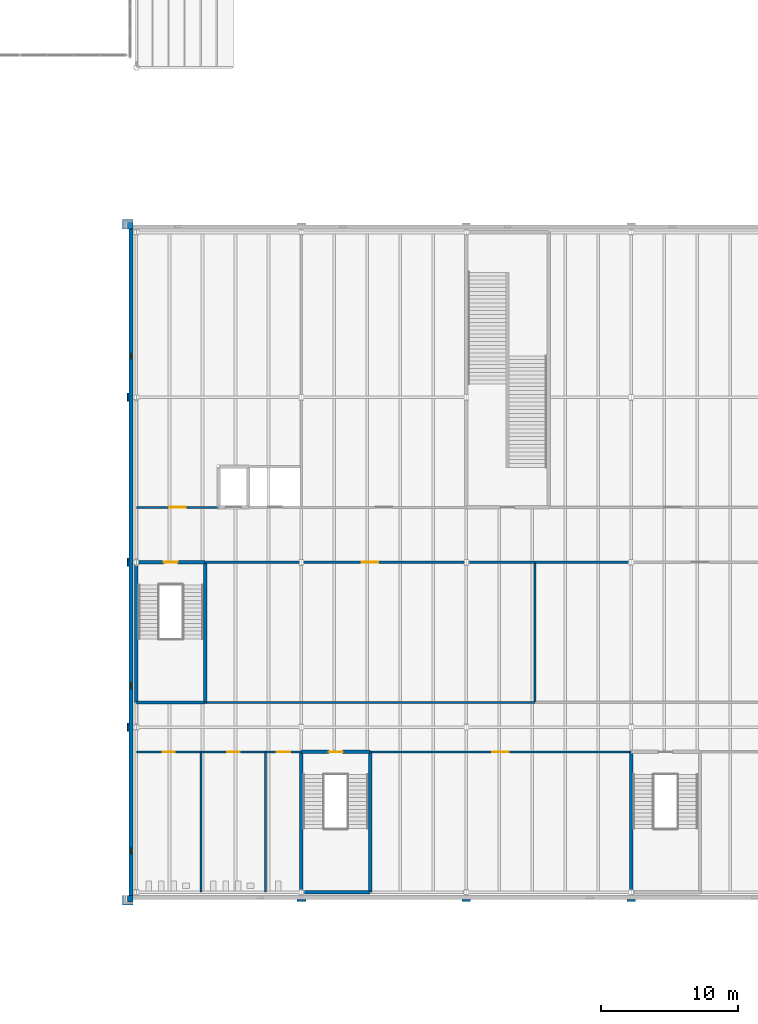
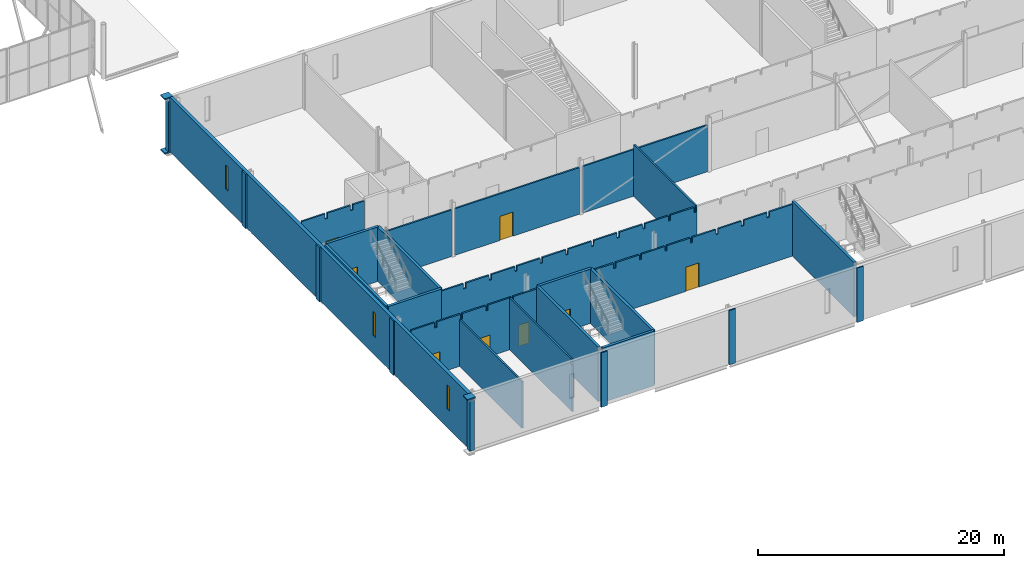
# One storey, part 102 of 170: 34 walls, 8 doors, 3 windows, 11 openings.
"""IFC4 building model written with IfcOpenShell, lengths in metres."""

from ifc_helpers import new_model, si_unit, direction, frame, frame_2d, origin, place, context, subcontext, project, spatial, polyline, rectangle, outline, extrude, material, layer, layer_set, type_object, element, fill, save


model = new_model("IFC4")

# Units and contexts
model_context = context("Model", 3, precision=1e-05, world=origin(), true_north=direction((0.0, 1.0)))
body_context = subcontext(model_context, "Body", "Model", "MODEL_VIEW")
ifc_project = project(units=[si_unit("LENGTHUNIT", "METRE"), si_unit("AREAUNIT", "SQUARE_METRE"), si_unit("VOLUMEUNIT", "CUBIC_METRE"), si_unit("PLANEANGLEUNIT", "RADIAN"), si_unit("MASSUNIT", "GRAM", prefix="KILO")], contexts=[model_context])

# Site, building, storey
site_placement = place(None, origin())
site = spatial("IfcSite", under=ifc_project, at=site_placement, CompositionType="ELEMENT")
building_placement = place(site_placement, origin())
building = spatial("IfcBuilding", under=site, at=building_placement, Name="Ravi Spectrum Wholesale Market", CompositionType="ELEMENT")
storey_placement = place(building_placement, frame((0.0, 0.0, 5.39990234375)))
storey = spatial("IfcBuildingStorey", under=building, at=storey_placement, Name="L01", CompositionType="ELEMENT", Elevation=5.39990234375)

# Wall, opening, door
ifc_material_1 = material(Name="Concrete blockwork", Category="masonry")
ifc_layer_1 = layer(ifc_material_1, 0.14990234375)
ifc_layer_set_1 = layer_set([ifc_layer_1], Name="Concrete blockwork")
wall_type_1 = type_object("IfcWallType", Name="Blockwork partition 150", PredefinedType="PARTITIONING", material=ifc_layer_set_1)
wall_1_placement = place(storey_placement, frame((198.0, 28.199951171875, 0.0), z_axis=(0.0, 0.0, 1.0), x_axis=(1.0, 0.0, 0.0)))
wall_1 = element("IfcWall", 1, at=wall_1_placement, inside=storey, type_object=wall_type_1, Name="CS-WL-L01-083", PredefinedType="PARTITIONING", context=body_context, shape_type="SweptSolid", body=[
    extrude(outline(polyline([(0.0, 0.0), (4.699951171875, 0.0), (4.699951171875, 5.150146484375), (2.5048828125, 5.150146484375), (2.5, 4.630126953125), (2.300048828125, 4.630126953125), (2.294921875, 5.150146484375), (0.10009765625, 5.150146484375), (0.094970703125, 4.68017578125), (0.0, 4.68017578125), (0.0, 0.0)])), frame((0.0, 0.074951171875, 0.0), z_axis=(0.0, -1.0, 0.0), x_axis=(1.0, 0.0, 0.0)), (0.0, 0.0, 1.0), 0.14990234375),
])
opening_1_placement = place(wall_1_placement, frame((1.89990234375, 0.0, 0.0)))
opening_1 = element("IfcOpeningElement", 2, at=opening_1_placement, cuts=wall_1, Name="Opening D504", PredefinedType="OPENING", context=body_context, shape_type="SweptSolid", body=[
    extrude(rectangle(XDim=0.89990234375, YDim=2.10009765625, at=frame_2d((0.449951171875, 1.050048828125))), frame((0.0, 0.0849609375, 0.0), z_axis=(0.0, -1.0, 0.0), x_axis=(1.0, 0.0, 0.0)), (0.0, 0.0, 1.0), 0.169921875),
])
ifc_material_2 = material(Name="Timber door", Category="wood")
door_type_1 = type_object("IfcDoorType", Name="Toilet door 900 x 2100", OperationType="SINGLE_SWING_LEFT", PredefinedType="DOOR", material=ifc_material_2)
door_1_placement = place(opening_1_placement, origin())
door_1 = element("IfcDoor", 3, at=door_1_placement, inside=storey, type_object=door_type_1, Name="Door D504", OperationType="SINGLE_SWING_LEFT", OverallHeight=2.10009765625, OverallWidth=0.89990234375, PredefinedType="DOOR", context=body_context, shape_type="SweptSolid", body=[
    extrude(rectangle(XDim=0.89990234375, YDim=2.10009765625, at=frame_2d((0.449951171875, 1.050048828125))), frame((0.0, 0.02490234375, 0.0), z_axis=(0.0, -1.0, 0.0), x_axis=(1.0, 0.0, 0.0)), (0.0, 0.0, 1.0), 0.050048828125),
])
fill(opening_1, door_1)

wall_2_placement = place(storey_placement, frame((202.699951171875, 28.199951171875, 0.0), z_axis=(0.0, 0.0, 1.0), x_axis=(1.0, 0.0, 0.0)))
wall_2 = element("IfcWall", 4, at=wall_2_placement, inside=storey, type_object=wall_type_1, Name="CS-WL-L01-084", PredefinedType="PARTITIONING", context=body_context, shape_type="SweptSolid", body=[
    extrude(outline(polyline([(0.0, 0.0), (4.699951171875, 0.0), (4.699951171875, 5.150146484375), (2.60498046875, 5.150146484375), (2.60009765625, 4.630126953125), (2.39990234375, 4.630126953125), (2.39501953125, 5.150146484375), (0.205078125, 5.150146484375), (0.199951171875, 4.630126953125), (0.0, 4.630126953125), (0.0, 0.0)])), frame((0.0, 0.074951171875, 0.0), z_axis=(0.0, -1.0, 0.0), x_axis=(1.0, 0.0, 0.0)), (0.0, 0.0, 1.0), 0.14990234375),
])
opening_2_placement = place(wall_2_placement, frame((1.89990234375, 0.0, 0.0)))
opening_2 = element("IfcOpeningElement", 5, at=opening_2_placement, cuts=wall_2, Name="Opening D505", PredefinedType="OPENING", context=body_context, shape_type="SweptSolid", body=[
    extrude(rectangle(XDim=0.89990234375, YDim=2.10009765625, at=frame_2d((0.449951171875, 1.050048828125))), frame((0.0, 0.0849609375, 0.0), z_axis=(0.0, -1.0, 0.0), x_axis=(1.0, 0.0, 0.0)), (0.0, 0.0, 1.0), 0.169921875),
])
door_2_placement = place(opening_2_placement, origin())
door_2 = element("IfcDoor", 6, at=door_2_placement, inside=storey, type_object=door_type_1, Name="Door D505", OperationType="SINGLE_SWING_RIGHT", OverallHeight=2.10009765625, OverallWidth=0.89990234375, PredefinedType="DOOR", context=body_context, shape_type="SweptSolid", body=[
    extrude(rectangle(XDim=0.89990234375, YDim=2.10009765625, at=frame_2d((0.449951171875, 1.050048828125))), frame((0.0, 0.02490234375, 0.0), z_axis=(0.0, -1.0, 0.0), x_axis=(1.0, 0.0, 0.0)), (0.0, 0.0, 1.0), 0.050048828125),
])
fill(opening_2, door_2)

wall_3_placement = place(storey_placement, frame((207.39990234375, 28.199951171875, 0.0), z_axis=(0.0, 0.0, 1.0), x_axis=(1.0, 0.0, 0.0)))
wall_3 = element("IfcWall", 7, at=wall_3_placement, inside=storey, type_object=wall_type_1, Name="CS-WL-L01-085", PredefinedType="PARTITIONING", context=body_context, shape_type="SweptSolid", body=[
    extrude(outline(polyline([(0.0, 0.0), (2.60009765625, 0.0), (2.60009765625, 5.150146484375), (0.304931640625, 5.150146484375), (0.300048828125, 4.630126953125), (0.10009765625, 4.630126953125), (0.094970703125, 5.150146484375), (0.0, 5.150146484375), (0.0, 0.0)])), frame((0.0, 0.074951171875, 0.0), z_axis=(0.0, -1.0, 0.0), x_axis=(1.0, 0.0, 0.0)), (0.0, 0.0, 1.0), 0.14990234375),
])
opening_3_placement = place(wall_3_placement, frame((0.800048828125, 0.0, 0.0)))
opening_3 = element("IfcOpeningElement", 8, at=opening_3_placement, cuts=wall_3, Name="Opening D506", PredefinedType="OPENING", context=body_context, shape_type="SweptSolid", body=[
    extrude(rectangle(XDim=1.0, YDim=2.10009765625, at=frame_2d((0.5, 1.050048828125))), frame((0.0, 0.0849609375, 0.0), z_axis=(0.0, -1.0, 0.0), x_axis=(1.0, 0.0, 0.0)), (0.0, 0.0, 1.0), 0.169921875),
])
ifc_material_3 = material(Name="Timber door", Category="wood")
door_type_2 = type_object("IfcDoorType", Name="Accessible toilet door 1000 x 2100", OperationType="SINGLE_SWING_LEFT", PredefinedType="DOOR", material=ifc_material_3)
door_3_placement = place(opening_3_placement, origin())
door_3 = element("IfcDoor", 9, at=door_3_placement, inside=storey, type_object=door_type_2, Name="Door D506", OperationType="SINGLE_SWING_RIGHT", OverallHeight=2.10009765625, OverallWidth=1.0, PredefinedType="DOOR", context=body_context, shape_type="SweptSolid", body=[
    extrude(rectangle(XDim=1.0, YDim=2.10009765625, at=frame_2d((0.5, 1.050048828125))), frame((0.0, 0.02490234375, 0.0), z_axis=(0.0, -1.0, 0.0), x_axis=(1.0, 0.0, 0.0)), (0.0, 0.0, 1.0), 0.050048828125),
])
fill(opening_3, door_3)

# Walls
wall_4_placement = place(storey_placement, frame((202.699951171875, 18.0, 0.0), z_axis=(0.0, 0.0, 1.0), x_axis=(0.0, 1.0, 0.0)))
element("IfcWall", 10, at=wall_4_placement, inside=storey, type_object=wall_type_1, Name="CS-WL-L01-110", PredefinedType="PARTITIONING", context=body_context, shape_type="SweptSolid", body=[
    extrude(rectangle(XDim=10.125, YDim=0.14990234375, at=frame_2d((5.0625, 0.0))), origin(), (0.0, 0.0, 1.0), 4.630126953125),
])
wall_5_placement = place(storey_placement, frame((207.39990234375, 18.0, 0.0), z_axis=(0.0, 0.0, 1.0), x_axis=(0.0, 1.0, 0.0)))
element("IfcWall", 11, at=wall_5_placement, inside=storey, type_object=wall_type_1, Name="CS-WL-L01-111", PredefinedType="PARTITIONING", context=body_context, shape_type="SweptSolid", body=[
    extrude(outline(polyline([(0.0, 0.0), (10.125, 0.0), (10.125, 5.150146484375), (0.10498046875, 5.150146484375), (0.10009765625, 4.630126953125), (0.0, 4.630126953125), (0.0, 0.0)])), frame((0.0, 0.074951171875, 0.0), z_axis=(0.0, -1.0, 0.0), x_axis=(1.0, 0.0, 0.0)), (0.0, 0.0, 1.0), 0.14990234375),
])
ifc_material_4 = material(Name="Clinker brickwork", Category="masonry")
ifc_layer_2 = layer(ifc_material_4, 0.695068359375)
ifc_layer_set_2 = layer_set([ifc_layer_2], Name="Clinker brickwork")
wall_type_2 = type_object("IfcWallType", Name="Brick corbel 695", PredefinedType="SOLIDWALL", material=ifc_layer_set_2)
wall_6_placement = place(storey_placement, frame((197.75, 66.597412109375, -0.1298828125), z_axis=(0.0, 0.0, 1.0), x_axis=(-1.0, 0.0, 0.0)))
element("IfcWall", 12, at=wall_6_placement, inside=storey, type_object=wall_type_2, Name="CS-WL-L01-042", PredefinedType="SOLIDWALL", context=body_context, shape_type="SweptSolid", body=[
    extrude(rectangle(XDim=0.760009765625, YDim=0.695068359375, at=frame_2d((0.3798828125, 0.0))), origin(), (0.0, 0.0, 1.0), 0.1298828125),
])
for number, where, z_axis, x_axis, name in (
    (13, (197.75, 17.402587890625, 5.27001953125), (0.0, 0.0, 1.0), (-1.0, 0.0, 0.0), "CS-WL-L01-046"),
    (14, (197.75, 66.597412109375, 5.27001953125), (0.0, 0.0, 1.0), (-1.0, 0.0, 0.0), "CS-WL-L01-058"),
):
    element("IfcWall", number, at=place(storey_placement, frame(where, z_axis=z_axis, x_axis=x_axis)), inside=storey, type_object=wall_type_2, Name=name, PredefinedType="SOLIDWALL", context=body_context, shape_type="SweptSolid", body=[
        extrude(rectangle(XDim=0.760009765625, YDim=0.695068359375, at=frame_2d((0.3798828125, 0.0))), origin(), (0.0, 0.0, 1.0), 0.130126953125),
    ])

# Wall, openings, windows
ifc_material_5 = material(Name="Brick-faced insulated panel", Category="masonry")
ifc_layer_3 = layer(ifc_material_5, 0.300048828125)
ifc_layer_set_3 = layer_set([ifc_layer_3], Name="Brick-faced insulated panel")
wall_type_3 = type_object("IfcWallType", Name="Brick faced insulated panel 300", PredefinedType="SOLIDWALL", material=ifc_layer_set_3)
wall_7_placement = place(storey_placement, frame((197.60009765625, 66.25, 0.0), z_axis=(0.0, 0.0, 1.0), x_axis=(0.0, -1.0, 0.0)))
wall_7 = element("IfcWall", 15, at=wall_7_placement, inside=storey, type_object=wall_type_3, Name="CS-WL-L01-077", PredefinedType="SOLIDWALL", context=body_context, shape_type="SweptSolid", body=[
    extrude(rectangle(XDim=48.5, YDim=0.300048828125, at=frame_2d((24.25, 0.0))), origin(), (0.0, 0.0, 1.0), 5.400146484375),
])
opening_4_placement = place(wall_7_placement, frame((9.02490234375, 0.0, 1.800048828125)))
opening_4 = element("IfcOpeningElement", 16, at=opening_4_placement, cuts=wall_7, Name="Opening W2633", PredefinedType="OPENING", context=body_context, shape_type="SweptSolid", body=[
    extrude(rectangle(XDim=0.449951171875, YDim=2.39990234375, at=frame_2d((0.22509765625, 1.199951171875))), frame((0.0, 0.159912109375, 0.0), z_axis=(0.0, -1.0, 0.0), x_axis=(1.0, 0.0, 0.0)), (0.0, 0.0, 1.0), 0.320068359375),
])
opening_5_placement = place(wall_7_placement, frame((33.02490234375, 0.0, 1.800048828125)))
opening_5 = element("IfcOpeningElement", 17, at=opening_5_placement, cuts=wall_7, Name="Opening W2635", PredefinedType="OPENING", context=body_context, shape_type="SweptSolid", body=[
    extrude(rectangle(XDim=0.449951171875, YDim=2.39990234375, at=frame_2d((0.22509765625, 1.199951171875))), frame((0.0, 0.159912109375, 0.0), z_axis=(0.0, -1.0, 0.0), x_axis=(1.0, 0.0, 0.0)), (0.0, 0.0, 1.0), 0.320068359375),
])
opening_6_placement = place(wall_7_placement, frame((45.02490234375, 0.0, 1.800048828125)))
opening_6 = element("IfcOpeningElement", 18, at=opening_6_placement, cuts=wall_7, Name="Opening W2636", PredefinedType="OPENING", context=body_context, shape_type="SweptSolid", body=[
    extrude(rectangle(XDim=0.449951171875, YDim=2.39990234375, at=frame_2d((0.22509765625, 1.199951171875))), frame((0.0, 0.159912109375, 0.0), z_axis=(0.0, -1.0, 0.0), x_axis=(1.0, 0.0, 0.0)), (0.0, 0.0, 1.0), 0.320068359375),
])
ifc_material_6 = material(Name="Steel window frame", Category="steel")
window_type = type_object("IfcWindowType", Name="Slot window 450 x 2400", PartitioningType="SINGLE_PANEL", PredefinedType="WINDOW", material=ifc_material_6)
window_1_placement = place(opening_4_placement, origin())
window_1 = element("IfcWindow", 19, at=window_1_placement, inside=storey, type_object=window_type, Name="Window W2633", OverallHeight=2.39990234375, OverallWidth=0.449951171875, PartitioningType="SINGLE_PANEL", PredefinedType="WINDOW", context=body_context, shape_type="SweptSolid", body=[
    extrude(rectangle(XDim=0.449951171875, YDim=2.39990234375, at=frame_2d((0.22509765625, 1.199951171875))), frame((0.0, 0.030029296875, 0.0), z_axis=(0.0, -1.0, 0.0), x_axis=(1.0, 0.0, 0.0)), (0.0, 0.0, 1.0), 0.06005859375),
])
fill(opening_4, window_1)
window_2_placement = place(opening_5_placement, origin())
window_2 = element("IfcWindow", 20, at=window_2_placement, inside=storey, type_object=window_type, Name="Window W2635", OverallHeight=2.39990234375, OverallWidth=0.449951171875, PartitioningType="SINGLE_PANEL", PredefinedType="WINDOW", context=body_context, shape_type="SweptSolid", body=[
    extrude(rectangle(XDim=0.449951171875, YDim=2.39990234375, at=frame_2d((0.22509765625, 1.199951171875))), frame((0.0, 0.030029296875, 0.0), z_axis=(0.0, -1.0, 0.0), x_axis=(1.0, 0.0, 0.0)), (0.0, 0.0, 1.0), 0.06005859375),
])
fill(opening_5, window_2)
window_3_placement = place(opening_6_placement, origin())
window_3 = element("IfcWindow", 21, at=window_3_placement, inside=storey, type_object=window_type, Name="Window W2636", OverallHeight=2.39990234375, OverallWidth=0.449951171875, PartitioningType="SINGLE_PANEL", PredefinedType="WINDOW", context=body_context, shape_type="SweptSolid", body=[
    extrude(rectangle(XDim=0.449951171875, YDim=2.39990234375, at=frame_2d((0.22509765625, 1.199951171875))), frame((0.0, 0.030029296875, 0.0), z_axis=(0.0, -1.0, 0.0), x_axis=(1.0, 0.0, 0.0)), (0.0, 0.0, 1.0), 0.06005859375),
])
fill(opening_6, window_3)

# Walls
ifc_material_7 = material(Name="Clinker brickwork", Category="masonry")
ifc_layer_4 = layer(ifc_material_7, 0.485107421875)
ifc_layer_set_4 = layer_set([ifc_layer_4], Name="Clinker brickwork")
wall_type_4 = type_object("IfcWallType", Name="Brick pier 485", PredefinedType="SOLIDWALL", material=ifc_layer_set_4)
for number, where, z_axis, x_axis, name in (
    (22, (197.75, 17.507568359375, 0.0), (0.0, 0.0, 1.0), (-1.0, 0.0, 0.0), "CS-WL-L01-043"),
    (23, (197.75, 66.492431640625, 0.0), (0.0, 0.0, 1.0), (-1.0, 0.0, 0.0), "CS-WL-L01-055"),
):
    element("IfcWall", number, at=place(storey_placement, frame(where, z_axis=z_axis, x_axis=x_axis)), inside=storey, type_object=wall_type_4, Name=name, PredefinedType="SOLIDWALL", context=body_context, shape_type="SweptSolid", body=[
        extrude(rectangle(XDim=0.4150390625, YDim=0.485107421875, at=frame_2d((0.20751953125, 0.0))), origin(), (0.0, 0.0, 1.0), 5.010009765625),
    ])
ifc_material_8 = material(Name="Facing brickwork", Category="masonry")
ifc_layer_5 = layer(ifc_material_8, 0.114990234375)
ifc_layer_set_5 = layer_set([ifc_layer_5], Name="Facing brickwork")
wall_type_5 = type_object("IfcWallType", Name="Brick pilaster 115", PredefinedType="SOLIDWALL", material=ifc_layer_set_5)
for number, where, z_axis, x_axis, name in (
    (24, (209.699951171875, 17.392578125, 0.0), (0.0, 0.0, 1.0), (1.0, 0.0, 0.0), "CS-WL-L01-060"),
    (25, (221.699951171875, 17.392578125, 0.0), (0.0, 0.0, 1.0), (1.0, 0.0, 0.0), "CS-WL-L01-061"),
    (26, (233.699951171875, 17.392578125, 0.0), (0.0, 0.0, 1.0), (1.0, 0.0, 0.0), "CS-WL-L01-062"),
    (27, (197.392578125, 54.300048828125, 0.0), (0.0, 0.0, 1.0), (0.0, -1.0, 0.0), "CS-WL-L01-078"),
    (28, (197.392578125, 42.300048828125, 0.0), (0.0, 0.0, 1.0), (0.0, -1.0, 0.0), "CS-WL-L01-079"),
    (29, (197.392578125, 30.300048828125, 0.0), (0.0, 0.0, 1.0), (0.0, -1.0, 0.0), "CS-WL-L01-080"),
):
    element("IfcWall", number, at=place(storey_placement, frame(where, z_axis=z_axis, x_axis=x_axis)), inside=storey, type_object=wall_type_5, Name=name, PredefinedType="SOLIDWALL", context=body_context, shape_type="SweptSolid", body=[
        extrude(rectangle(XDim=0.60009765625, YDim=0.114990234375, at=frame_2d((0.300048828125, 0.0))), origin(), (0.0, 0.0, 1.0), 5.400146484375),
    ])

# Wall, opening, door
ifc_material_9 = material(Name="Insulated panel")
ifc_layer_6 = layer(ifc_material_9, 0.14990234375)
ifc_layer_set_6 = layer_set([ifc_layer_6], Name="Insulated panel")
wall_type_6 = type_object("IfcWallType", Name="Cold store panel 150", PredefinedType="PARTITIONING", material=ifc_layer_set_6)
wall_8_placement = place(storey_placement, frame((215.0, 28.199951171875, 0.0), z_axis=(0.0, 0.0, 1.0), x_axis=(1.0, 0.0, 0.0)))
wall_8 = element("IfcWall", 30, at=wall_8_placement, inside=storey, type_object=wall_type_6, Name="CS-WL-L01-086", PredefinedType="PARTITIONING", context=body_context, shape_type="SweptSolid", body=[
    extrude(outline(polyline([(0.0, 0.0), (19.0, 0.0), (19.0, 5.150146484375), (16.705078125, 5.150146484375), (16.699951171875, 4.630126953125), (16.5, 4.630126953125), (16.4951171875, 5.150146484375), (14.304931640625, 5.150146484375), (14.300048828125, 4.630126953125), (14.10009765625, 4.630126953125), (14.094970703125, 5.150146484375), (11.905029296875, 5.150146484375), (11.89990234375, 4.630126953125), (11.699951171875, 4.630126953125), (11.695068359375, 5.150146484375), (9.5048828125, 5.150146484375), (9.5, 4.630126953125), (9.300048828125, 4.630126953125), (9.294921875, 5.150146484375), (7.10009765625, 5.150146484375), (7.094970703125, 4.68017578125), (6.905029296875, 4.68017578125), (6.89990234375, 5.150146484375), (4.705078125, 5.150146484375), (4.699951171875, 4.630126953125), (4.5, 4.630126953125), (4.4951171875, 5.150146484375), (2.304931640625, 5.150146484375), (2.300048828125, 4.630126953125), (2.10009765625, 4.630126953125), (2.094970703125, 5.150146484375), (0.0, 5.150146484375), (0.0, 0.0)])), frame((0.0, 0.074951171875, 0.0), z_axis=(0.0, -1.0, 0.0), x_axis=(1.0, 0.0, 0.0)), (0.0, 0.0, 1.0), 0.14990234375),
])
opening_7_placement = place(wall_8_placement, frame((8.89990234375, 0.0, 0.0)))
opening_7 = element("IfcOpeningElement", 31, at=opening_7_placement, cuts=wall_8, Name="Opening D507", PredefinedType="OPENING", context=body_context, shape_type="SweptSolid", body=[
    extrude(rectangle(XDim=1.199951171875, YDim=2.39990234375, at=frame_2d((0.60009765625, 1.199951171875))), frame((0.0, 0.0849609375, 0.0), z_axis=(0.0, -1.0, 0.0), x_axis=(1.0, 0.0, 0.0)), (0.0, 0.0, 1.0), 0.169921875),
])
ifc_material_10 = material(Name="Insulated panel door")
door_type_3 = type_object("IfcDoorType", Name="Cold store insulated door 1200 x 2400", OperationType="SINGLE_SWING_LEFT", PredefinedType="DOOR", material=ifc_material_10)
door_4_placement = place(opening_7_placement, origin())
door_4 = element("IfcDoor", 32, at=door_4_placement, inside=storey, type_object=door_type_3, Name="Door D507", OperationType="SINGLE_SWING_LEFT", OverallHeight=2.39990234375, OverallWidth=1.199951171875, PredefinedType="DOOR", context=body_context, shape_type="SweptSolid", body=[
    extrude(rectangle(XDim=1.199951171875, YDim=2.39990234375, at=frame_2d((0.60009765625, 1.199951171875))), frame((0.0, 0.02490234375, 0.0), z_axis=(0.0, -1.0, 0.0), x_axis=(1.0, 0.0, 0.0)), (0.0, 0.0, 1.0), 0.050048828125),
])
fill(opening_7, door_4)

# Walls
wall_9_placement = place(storey_placement, frame((203.0, 31.800048828125, 0.0), z_axis=(0.0, 0.0, 1.0), x_axis=(1.0, 0.0, 0.0)))
element("IfcWall", 33, at=wall_9_placement, inside=storey, type_object=wall_type_6, Name="CS-WL-L01-089", PredefinedType="PARTITIONING", context=body_context, shape_type="SweptSolid", body=[
    extrude(outline(polyline([(0.0, 0.0), (24.0, 0.0), (24.0, 5.150146484375), (23.905029296875, 5.150146484375), (23.89990234375, 4.630126953125), (23.699951171875, 4.630126953125), (23.695068359375, 5.150146484375), (21.5048828125, 5.150146484375), (21.5, 4.630126953125), (21.300048828125, 4.630126953125), (21.294921875, 5.150146484375), (19.10009765625, 5.150146484375), (19.094970703125, 4.68017578125), (18.905029296875, 4.68017578125), (18.89990234375, 5.150146484375), (16.705078125, 5.150146484375), (16.699951171875, 4.630126953125), (16.5, 4.630126953125), (16.4951171875, 5.150146484375), (14.304931640625, 5.150146484375), (14.300048828125, 4.630126953125), (14.10009765625, 4.630126953125), (14.094970703125, 5.150146484375), (11.905029296875, 5.150146484375), (11.89990234375, 4.630126953125), (11.699951171875, 4.630126953125), (11.695068359375, 5.150146484375), (9.5048828125, 5.150146484375), (9.5, 4.630126953125), (9.300048828125, 4.630126953125), (9.294921875, 5.150146484375), (7.10009765625, 5.150146484375), (7.094970703125, 4.68017578125), (6.905029296875, 4.68017578125), (6.89990234375, 5.150146484375), (4.705078125, 5.150146484375), (4.699951171875, 4.630126953125), (4.5, 4.630126953125), (4.4951171875, 5.150146484375), (2.304931640625, 5.150146484375), (2.300048828125, 4.630126953125), (2.10009765625, 4.630126953125), (2.094970703125, 5.150146484375), (0.0, 5.150146484375), (0.0, 0.0)])), frame((0.0, 0.074951171875, 0.0), z_axis=(0.0, -1.0, 0.0), x_axis=(1.0, 0.0, 0.0)), (0.0, 0.0, 1.0), 0.14990234375),
])
wall_10_placement = place(storey_placement, frame((203.0, 42.0, 0.0), z_axis=(0.0, 0.0, 1.0), x_axis=(1.0, 0.0, 0.0)))
element("IfcWall", 34, at=wall_10_placement, inside=storey, type_object=wall_type_6, Name="CS-WL-L01-092", PredefinedType="PARTITIONING", context=body_context, shape_type="SweptSolid", body=[
    extrude(rectangle(XDim=6.85009765625, YDim=0.14990234375, at=frame_2d((3.425048828125, 0.0))), origin(), (0.0, 0.0, 1.0), 4.630126953125),
])

# Wall, opening, door
wall_11_placement = place(storey_placement, frame((210.14990234375, 42.0, 0.0), z_axis=(0.0, 0.0, 1.0), x_axis=(1.0, 0.0, 0.0)))
wall_11 = element("IfcWall", 35, at=wall_11_placement, inside=storey, type_object=wall_type_6, Name="CS-WL-L01-093", PredefinedType="PARTITIONING", context=body_context, shape_type="SweptSolid", body=[
    extrude(rectangle(XDim=11.7001953125, YDim=0.14990234375, at=frame_2d((5.85009765625, 0.0))), origin(), (0.0, 0.0, 1.0), 4.630126953125),
])
opening_8_placement = place(wall_11_placement, frame((4.25, 0.0, 0.0)))
opening_8 = element("IfcOpeningElement", 36, at=opening_8_placement, cuts=wall_11, Name="Opening D510", PredefinedType="OPENING", context=body_context, shape_type="SweptSolid", body=[
    extrude(rectangle(XDim=1.199951171875, YDim=2.39990234375, at=frame_2d((0.60009765625, 1.199951171875))), frame((0.0, 0.0849609375, 0.0), z_axis=(0.0, -1.0, 0.0), x_axis=(1.0, 0.0, 0.0)), (0.0, 0.0, 1.0), 0.169921875),
])
door_5_placement = place(opening_8_placement, origin())
door_5 = element("IfcDoor", 37, at=door_5_placement, inside=storey, type_object=door_type_3, Name="Door D510", OperationType="SINGLE_SWING_RIGHT", OverallHeight=2.39990234375, OverallWidth=1.199951171875, PredefinedType="DOOR", context=body_context, shape_type="SweptSolid", body=[
    extrude(rectangle(XDim=1.199951171875, YDim=2.39990234375, at=frame_2d((0.60009765625, 1.199951171875))), frame((0.0, 0.02490234375, 0.0), z_axis=(0.0, -1.0, 0.0), x_axis=(1.0, 0.0, 0.0)), (0.0, 0.0, 1.0), 0.050048828125),
])
fill(opening_8, door_5)

# Walls
wall_12_placement = place(storey_placement, frame((222.14990234375, 42.0, 0.0), z_axis=(0.0, 0.0, 1.0), x_axis=(1.0, 0.0, 0.0)))
element("IfcWall", 38, at=wall_12_placement, inside=storey, type_object=wall_type_6, Name="CS-WL-L01-094", PredefinedType="PARTITIONING", context=body_context, shape_type="SweptSolid", body=[
    extrude(rectangle(XDim=4.85009765625, YDim=0.14990234375, at=frame_2d((2.425048828125, 0.0))), origin(), (0.0, 0.0, 1.0), 4.630126953125),
])
wall_13_placement = place(storey_placement, frame((227.0, 42.0, 0.0), z_axis=(0.0, 0.0, 1.0), x_axis=(1.0, 0.0, 0.0)))
element("IfcWall", 39, at=wall_13_placement, inside=storey, type_object=wall_type_6, Name="CS-WL-L01-095", PredefinedType="PARTITIONING", context=body_context, shape_type="SweptSolid", body=[
    extrude(rectangle(XDim=6.85009765625, YDim=0.14990234375, at=frame_2d((3.425048828125, 0.0))), origin(), (0.0, 0.0, 1.0), 4.630126953125),
])

# Wall, opening, door
wall_14_placement = place(storey_placement, frame((198.0, 46.0, 0.0), z_axis=(0.0, 0.0, 1.0), x_axis=(1.0, 0.0, 0.0)))
wall_14 = element("IfcWall", 40, at=wall_14_placement, inside=storey, type_object=wall_type_6, Name="CS-WL-L01-101", PredefinedType="PARTITIONING", context=body_context, shape_type="SweptSolid", body=[
    extrude(outline(polyline([(0.0, 0.0), (6.0, 0.0), (6.0, 5.150146484375), (4.905029296875, 5.150146484375), (4.89990234375, 4.630126953125), (4.699951171875, 4.630126953125), (4.695068359375, 5.150146484375), (2.5048828125, 5.150146484375), (2.5, 4.630126953125), (2.300048828125, 4.630126953125), (2.294921875, 5.150146484375), (0.10009765625, 5.150146484375), (0.094970703125, 4.68017578125), (0.0, 4.68017578125), (0.0, 0.0)])), frame((0.0, 0.074951171875, 0.0), z_axis=(0.0, -1.0, 0.0), x_axis=(1.0, 0.0, 0.0)), (0.0, 0.0, 1.0), 0.14990234375),
])
opening_9_placement = place(wall_14_placement, frame((2.39990234375, 0.0, 0.0)))
opening_9 = element("IfcOpeningElement", 41, at=opening_9_placement, cuts=wall_14, Name="Opening D513", PredefinedType="OPENING", context=body_context, shape_type="SweptSolid", body=[
    extrude(rectangle(XDim=1.199951171875, YDim=2.39990234375, at=frame_2d((0.60009765625, 1.199951171875))), frame((0.0, 0.0849609375, 0.0), z_axis=(0.0, -1.0, 0.0), x_axis=(1.0, 0.0, 0.0)), (0.0, 0.0, 1.0), 0.169921875),
])
door_6_placement = place(opening_9_placement, origin())
door_6 = element("IfcDoor", 42, at=door_6_placement, inside=storey, type_object=door_type_3, Name="Door D513", OperationType="SINGLE_SWING_RIGHT", OverallHeight=2.39990234375, OverallWidth=1.199951171875, PredefinedType="DOOR", context=body_context, shape_type="SweptSolid", body=[
    extrude(rectangle(XDim=1.199951171875, YDim=2.39990234375, at=frame_2d((0.60009765625, 1.199951171875))), frame((0.0, 0.02490234375, 0.0), z_axis=(0.0, -1.0, 0.0), x_axis=(1.0, 0.0, 0.0)), (0.0, 0.0, 1.0), 0.050048828125),
])
fill(opening_9, door_6)

# Walls
wall_15_placement = place(storey_placement, frame((227.0, 31.875, 0.0), z_axis=(0.0, 0.0, 1.0), x_axis=(0.0, 1.0, 0.0)))
element("IfcWall", 43, at=wall_15_placement, inside=storey, type_object=wall_type_6, Name="CS-WL-L01-115", PredefinedType="PARTITIONING", context=body_context, shape_type="SweptSolid", body=[
    extrude(outline(polyline([(0.0, 0.0), (10.050048828125, 0.0), (10.050048828125, 4.630126953125), (10.02490234375, 4.630126953125), (10.02001953125, 5.150146484375), (0.0, 5.150146484375), (0.0, 0.0)])), frame((0.0, 0.074951171875, 0.0), z_axis=(0.0, -1.0, 0.0), x_axis=(1.0, 0.0, 0.0)), (0.0, 0.0, 1.0), 0.14990234375),
])
ifc_material_11 = material(Name="Concrete C35/45", Category="concrete")
ifc_layer_7 = layer(ifc_material_11, 0.25)
ifc_layer_set_7 = layer_set([ifc_layer_7], Name="Concrete C35/45")
wall_type_7 = type_object("IfcWallType", Name="Concrete core wall 250", PredefinedType="SHEAR", material=ifc_layer_set_7)
wall_16_placement = place(storey_placement, frame((198.0, 31.800048828125, 0.0), z_axis=(0.0, 0.0, 1.0), x_axis=(1.0, 0.0, 0.0)))
element("IfcWall", 44, at=wall_16_placement, inside=storey, type_object=wall_type_7, Name="Stair core wall Stair S-CS-1", PredefinedType="SHEAR", context=body_context, shape_type="SweptSolid", body=[
    extrude(rectangle(XDim=5.0, YDim=0.25, at=frame_2d((2.5, 0.0))), origin(), (0.0, 0.0, 1.0), 5.400146484375),
])
wall_17_placement = place(storey_placement, frame((203.0, 31.800048828125, 0.0), z_axis=(0.0, 0.0, 1.0), x_axis=(0.0, 1.0, 0.0)))
element("IfcWall", 45, at=wall_17_placement, inside=storey, type_object=wall_type_7, Name="Stair core wall Stair S-CS-1", PredefinedType="SHEAR", context=body_context, shape_type="SweptSolid", body=[
    extrude(rectangle(XDim=10.199951171875, YDim=0.25, at=frame_2d((5.10009765625, 0.0))), origin(), (0.0, 0.0, 1.0), 5.400146484375),
])

# Wall, opening, door
wall_18_placement = place(storey_placement, frame((198.14990234375, 42.0, 0.0), z_axis=(0.0, 0.0, 1.0), x_axis=(1.0, 0.0, 0.0)))
wall_18 = element("IfcWall", 46, at=wall_18_placement, inside=storey, type_object=wall_type_7, Name="Stair core wall Stair S-CS-1", PredefinedType="SHEAR", context=body_context, shape_type="SweptSolid", body=[
    extrude(rectangle(XDim=4.85009765625, YDim=0.25, at=frame_2d((2.425048828125, 0.0))), origin(), (0.0, 0.0, 1.0), 5.400146484375),
])
opening_10_placement = place(wall_18_placement, frame((1.85009765625, 0.0, 0.0)))
opening_10 = element("IfcOpeningElement", 47, at=opening_10_placement, cuts=wall_18, Name="Opening D495", PredefinedType="OPENING", context=body_context, shape_type="SweptSolid", body=[
    extrude(rectangle(XDim=1.0, YDim=2.10009765625, at=frame_2d((0.5, 1.050048828125))), frame((0.0, 0.135009765625, 0.0), z_axis=(0.0, -1.0, 0.0), x_axis=(1.0, 0.0, 0.0)), (0.0, 0.0, 1.0), 0.27001953125),
])
ifc_material_12 = material(Name="Steel door", Category="steel")
door_type_4 = type_object("IfcDoorType", Name="Stair door 1000 x 2100", OperationType="SINGLE_SWING_LEFT", PredefinedType="DOOR", material=ifc_material_12)
door_7_placement = place(opening_10_placement, origin())
door_7 = element("IfcDoor", 48, at=door_7_placement, inside=storey, type_object=door_type_4, Name="Door D495", OperationType="SINGLE_SWING_RIGHT", OverallHeight=2.10009765625, OverallWidth=1.0, PredefinedType="DOOR", context=body_context, shape_type="SweptSolid", body=[
    extrude(rectangle(XDim=1.0, YDim=2.10009765625, at=frame_2d((0.5, 1.050048828125))), frame((0.0, 0.02490234375, 0.0), z_axis=(0.0, -1.0, 0.0), x_axis=(1.0, 0.0, 0.0)), (0.0, 0.0, 1.0), 0.050048828125),
])
fill(opening_10, door_7)

# Walls
for number, where, z_axis, x_axis, name in (
    (49, (198.0, 31.800048828125, 0.0), (0.0, 0.0, 1.0), (0.0, 1.0, 0.0), "Stair core wall Stair S-CS-1"),
    (50, (234.0, 18.169921875, 0.0), (0.0, 0.0, 1.0), (0.0, 1.0, 0.0), "Stair core wall Stair S-CS-4"),
):
    element("IfcWall", number, at=place(storey_placement, frame(where, z_axis=z_axis, x_axis=x_axis)), inside=storey, type_object=wall_type_7, Name=name, PredefinedType="SHEAR", context=body_context, shape_type="SweptSolid", body=[
        extrude(rectangle(XDim=10.030029296875, YDim=0.25, at=frame_2d((5.01513671875, 0.0))), origin(), (0.0, 0.0, 1.0), 5.400146484375),
    ])
wall_19_placement = place(storey_placement, frame((210.14990234375, 18.0, 0.0), z_axis=(0.0, 0.0, 1.0), x_axis=(1.0, 0.0, 0.0)))
element("IfcWall", 51, at=wall_19_placement, inside=storey, type_object=wall_type_7, Name="Stair core wall Stair S-CS-6", PredefinedType="SHEAR", context=body_context, shape_type="SweptSolid", body=[
    extrude(rectangle(XDim=4.85009765625, YDim=0.25, at=frame_2d((2.425048828125, 0.0))), origin(), (0.0, 0.0, 1.0), 5.400146484375),
])
wall_20_placement = place(storey_placement, frame((215.0, 18.0, 0.0), z_axis=(0.0, 0.0, 1.0), x_axis=(0.0, 1.0, 0.0)))
element("IfcWall", 52, at=wall_20_placement, inside=storey, type_object=wall_type_7, Name="Stair core wall Stair S-CS-6", PredefinedType="SHEAR", context=body_context, shape_type="SweptSolid", body=[
    extrude(rectangle(XDim=10.199951171875, YDim=0.25, at=frame_2d((5.10009765625, 0.0))), origin(), (0.0, 0.0, 1.0), 5.400146484375),
])

# Wall, opening, door
wall_21_placement = place(storey_placement, frame((210.0, 28.199951171875, 0.0), z_axis=(0.0, 0.0, 1.0), x_axis=(1.0, 0.0, 0.0)))
wall_21 = element("IfcWall", 53, at=wall_21_placement, inside=storey, type_object=wall_type_7, Name="Stair core wall Stair S-CS-6", PredefinedType="SHEAR", context=body_context, shape_type="SweptSolid", body=[
    extrude(rectangle(XDim=5.0, YDim=0.25, at=frame_2d((2.5, 0.0))), origin(), (0.0, 0.0, 1.0), 5.400146484375),
])
opening_11_placement = place(wall_21_placement, frame((2.0, 0.0, 0.0)))
opening_11 = element("IfcOpeningElement", 54, at=opening_11_placement, cuts=wall_21, Name="Opening D500", PredefinedType="OPENING", context=body_context, shape_type="SweptSolid", body=[
    extrude(rectangle(XDim=1.0, YDim=2.10009765625, at=frame_2d((0.5, 1.050048828125))), frame((0.0, 0.135009765625, 0.0), z_axis=(0.0, -1.0, 0.0), x_axis=(1.0, 0.0, 0.0)), (0.0, 0.0, 1.0), 0.27001953125),
])
door_8_placement = place(opening_11_placement, origin())
door_8 = element("IfcDoor", 55, at=door_8_placement, inside=storey, type_object=door_type_4, Name="Door D500", OperationType="SINGLE_SWING_RIGHT", OverallHeight=2.10009765625, OverallWidth=1.0, PredefinedType="DOOR", context=body_context, shape_type="SweptSolid", body=[
    extrude(rectangle(XDim=1.0, YDim=2.10009765625, at=frame_2d((0.5, 1.050048828125))), frame((0.0, 0.02490234375, 0.0), z_axis=(0.0, -1.0, 0.0), x_axis=(1.0, 0.0, 0.0)), (0.0, 0.0, 1.0), 0.050048828125),
])
fill(opening_11, door_8)

# Wall
wall_22_placement = place(storey_placement, frame((210.0, 18.169921875, 0.0), z_axis=(0.0, 0.0, 1.0), x_axis=(0.0, 1.0, 0.0)))
element("IfcWall", 56, at=wall_22_placement, inside=storey, type_object=wall_type_7, Name="Stair core wall Stair S-CS-6", PredefinedType="SHEAR", context=body_context, shape_type="SweptSolid", body=[
    extrude(rectangle(XDim=10.030029296875, YDim=0.25, at=frame_2d((5.01513671875, 0.0))), origin(), (0.0, 0.0, 1.0), 5.400146484375),
])

save(model, "model.ifc")
